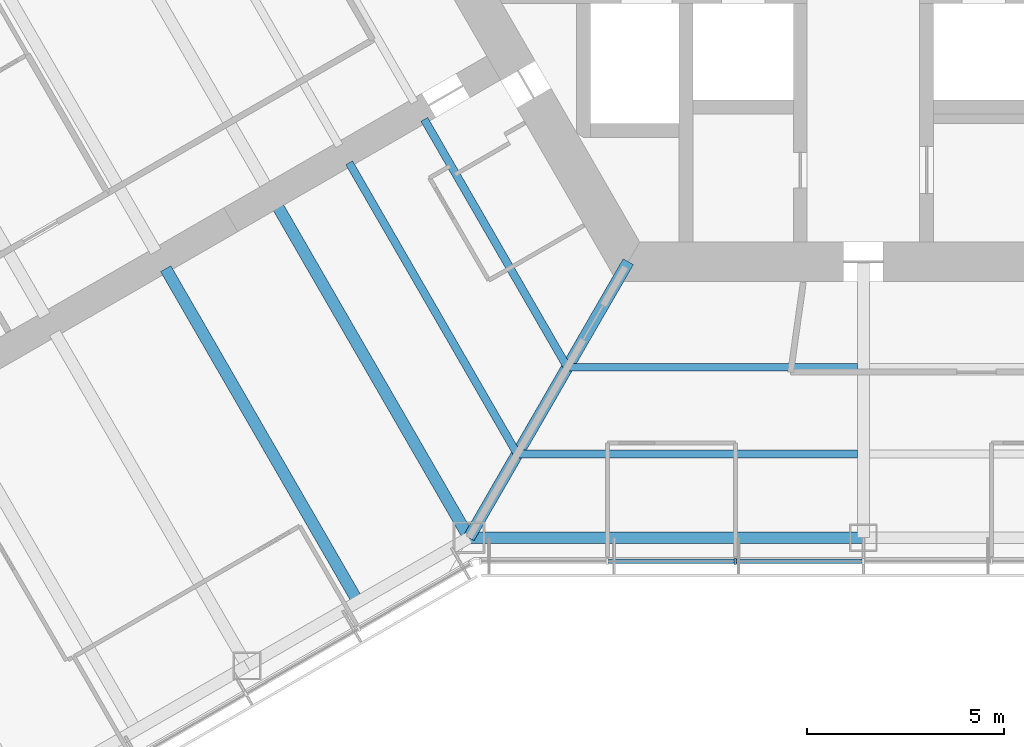
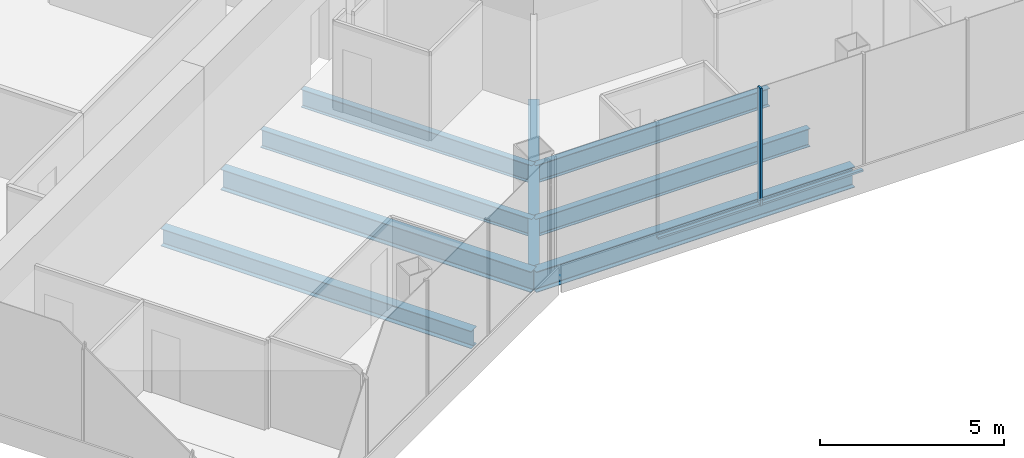
# One storey, part 3 of 18: 8 beams, 3 members, 1 element without a shape of its own.
"""IFC4 building model written with IfcOpenShell, lengths in metres."""

from ifc_helpers import new_model, si_unit, direction, frame, origin, origin_2d, place, context, subcontext, project, spatial, rectangle, i_section, extrude, material, material_profile, profile_set, type_object, element, aggregate, save


model = new_model("IFC4")

# Units and contexts
model_context = context("Model", 3, precision=1e-05, world=origin(), true_north=direction((0.0, 1.0)))
body_context = subcontext(model_context, "Body", "Model", "MODEL_VIEW")
ifc_project = project(units=[si_unit("LENGTHUNIT", "METRE"), si_unit("AREAUNIT", "SQUARE_METRE"), si_unit("VOLUMEUNIT", "CUBIC_METRE"), si_unit("PLANEANGLEUNIT", "RADIAN"), si_unit("MASSUNIT", "GRAM", prefix="KILO")], contexts=[model_context])

# Site, building, storey
site_placement = place(None, origin())
site = spatial("IfcSite", under=ifc_project, at=site_placement, CompositionType="ELEMENT")
building_placement = place(site_placement, origin())
building = spatial("IfcBuilding", under=site, at=building_placement, Name="Kasaneha Research Tower", CompositionType="ELEMENT")
storey_placement = place(building_placement, frame((0.0, 0.0, 179.89990234375)))
storey = spatial("IfcBuildingStorey", under=building, at=storey_placement, Name="L45", CompositionType="ELEMENT", Elevation=179.89990234375)

# Beams
ifc_material_1 = material(Name="Steel SN490B", Category="steel")
ifc_material_profile_1 = material_profile(ifc_material_1, i_section(OverallWidth=0.199951171875, OverallDepth=0.60009765625, WebThickness=0.010986328125, FlangeThickness=0.01708984375, FilletRadius=0.012939453125, at=origin_2d()), Name="H-600x200x11x17")
ifc_profile_set_1 = profile_set([ifc_material_profile_1], Name="Steel SN490B")
beam_type_1 = type_object("IfcBeamType", Name="B1-3 secondary beam H-600x200x11x17", PredefinedType="JOIST", material=ifc_profile_set_1)
beam_1_placement = place(storey_placement, frame((-7.505615234375, -13.0, -0.449951171875), z_axis=(-0.499993340521, 0.866029248602, 0.0), x_axis=(-0.866029248602, -0.499993340521, 0.0)))
element("IfcBeam", 1, at=beam_1_placement, inside=storey, type_object=beam_type_1, Name="Secondary beam RS210R1 L45", PredefinedType="JOIST", context=body_context, shape_type="SweptSolid", body=[
    extrude(i_section(OverallWidth=0.199951171875, OverallDepth=0.60009765625, WebThickness=0.010986328125, FlangeThickness=0.01708984375, FilletRadius=0.012939453125, at=origin_2d()), origin(), (0.0, 0.0, 1.0), 7.25537109375),
])
beam_2_placement = place(storey_placement, frame((-8.775634765625, -15.199951171875, -0.449951171875), z_axis=(-0.500004205306, 0.866022975836, 0.0), x_axis=(-0.866022975836, -0.500004205306, 0.0)))
element("IfcBeam", 2, at=beam_2_placement, inside=storey, type_object=beam_type_1, Name="Secondary beam RS210R2 L45", PredefinedType="JOIST", context=body_context, shape_type="SweptSolid", body=[
    extrude(i_section(OverallWidth=0.199951171875, OverallDepth=0.60009765625, WebThickness=0.010986328125, FlangeThickness=0.01708984375, FilletRadius=0.012939453125, at=origin_2d()), origin(), (0.0, 0.0, 1.0), 8.52587890625),
])
beam_3_placement = place(storey_placement, frame((-7.505615234375, -13.0, -0.449951171875), z_axis=(1.0, 0.0, 0.0), x_axis=(0.0, 1.0, 0.0)))
element("IfcBeam", 3, at=beam_3_placement, inside=storey, type_object=beam_type_1, Name="Secondary beam RS270L1 L45", PredefinedType="JOIST", context=body_context, shape_type="SweptSolid", body=[
    extrude(i_section(OverallWidth=0.199951171875, OverallDepth=0.60009765625, WebThickness=0.010986328125, FlangeThickness=0.01708984375, FilletRadius=0.012939453125, at=origin_2d()), origin(), (0.0, 0.0, 1.0), 7.355712890625),
])
beam_4_placement = place(storey_placement, frame((-8.775634765625, -15.199951171875, -0.449951171875), z_axis=(1.0, 0.0, 0.0), x_axis=(0.0, 1.0, 0.0)))
element("IfcBeam", 4, at=beam_4_placement, inside=storey, type_object=beam_type_1, Name="Secondary beam RS270L2 L45", PredefinedType="JOIST", context=body_context, shape_type="SweptSolid", body=[
    extrude(i_section(OverallWidth=0.199951171875, OverallDepth=0.60009765625, WebThickness=0.010986328125, FlangeThickness=0.01708984375, FilletRadius=0.012939453125, at=origin_2d()), origin(), (0.0, 0.0, 1.0), 8.625732421875),
])
ifc_material_2 = material(Name="Steel SN490B", Category="steel")
ifc_material_profile_2 = material_profile(ifc_material_2, i_section(OverallWidth=0.300048828125, OverallDepth=0.58203125, WebThickness=0.011962890625, FlangeThickness=0.01708984375, FilletRadius=0.012939453125, at=origin_2d()), Name="H-582x300x12x17")
ifc_profile_set_2 = profile_set([ifc_material_profile_2], Name="Steel SN490B")
beam_type_2 = type_object("IfcBeamType", Name="B2-3 secondary beam H-582x300x12x17", PredefinedType="JOIST", material=ifc_profile_set_2)
beam_5_placement = place(storey_placement, frame((-12.814697265625, -18.945556640625, -0.44091796875), z_axis=(-0.499995560238, 0.866027967067, 0.0), x_axis=(-0.866027967067, -0.499995560238, 0.0)))
element("IfcBeam", 5, at=beam_5_placement, inside=storey, type_object=beam_type_2, Name="Secondary beam WBBN1 L45", PredefinedType="JOIST", context=body_context, shape_type="SweptSolid", body=[
    extrude(i_section(OverallWidth=0.300048828125, OverallDepth=0.58203125, WebThickness=0.011962890625, FlangeThickness=0.01708984375, FilletRadius=0.012939453125, at=origin_2d()), origin(), (0.0, 0.0, 1.0), 9.75),
])

# Curtain wall, members
ifc_material_3 = material(Name="Glass and aluminium", Category="aluminium")
curtain_wall_type = type_object("IfcCurtainWallType", Name="Mid-rise office curtain wall", PredefinedType="USERDEFINED", material=ifc_material_3)
curtain_wall_placement = place(storey_placement, origin())
curtain_wall = element("IfcCurtainWall", 6, at=curtain_wall_placement, inside=storey, type_object=curtain_wall_type, Name="CW-O2 L45 run 01a", ObjectType="UNITISED CURTAIN WALL", PredefinedType="USERDEFINED")
ifc_material_4 = material(Name="Aluminium 6063-T6", Category="aluminium")
ifc_material_profile_3 = material_profile(ifc_material_4, rectangle(XDim=0.06005859375, YDim=0.14990234375, at=origin_2d()), Name="CW-O2 mullion 60x150")
ifc_profile_set_3 = profile_set([ifc_material_profile_3], Name="Aluminium 6063-T6")
member_type_1 = type_object("IfcMemberType", Name="CW-O2 mullion", PredefinedType="MULLION", material=ifc_profile_set_3)
member_1_placement = place(storey_placement, frame((-3.246337890625, -17.92041015625, 0.0), z_axis=(0.0, 0.0, 1.0), x_axis=(1.0, 0.0, 0.0)))
member_1 = element("IfcMember", 7, at=member_1_placement, type_object=member_type_1, Name="CW-O2 mullion 3", PredefinedType="MULLION", context=body_context, shape_type="SweptSolid", body=[
    extrude(rectangle(XDim=0.06005859375, YDim=0.14990234375, at=origin_2d()), origin(), (0.0, 0.0, 1.0), 3.900146484375),
])
ifc_material_5 = material(Name="Aluminium 6063-T6", Category="aluminium")
ifc_material_profile_4 = material_profile(ifc_material_5, rectangle(XDim=0.110107421875, YDim=0.06005859375, at=origin_2d()), Name="CW-O2 transom 110x60")
ifc_profile_set_4 = profile_set([ifc_material_profile_4], Name="Aluminium 6063-T6")
member_type_2 = type_object("IfcMemberType", Name="CW-O2 transom", PredefinedType="USERDEFINED", material=ifc_profile_set_4)
member_2_placement = place(storey_placement, frame((-6.462890625, -17.92041015625, 0.030029296875), z_axis=(1.0, 0.0, 0.0), x_axis=(0.0, 1.0, 0.0)))
member_2 = element("IfcMember", 8, at=member_2_placement, type_object=member_type_2, Name="CW-O2 transom 2", ObjectType="TRANSOM", PredefinedType="USERDEFINED", context=body_context, shape_type="SweptSolid", body=[
    extrude(rectangle(XDim=0.110107421875, YDim=0.06005859375, at=origin_2d()), origin(), (0.0, 0.0, 1.0), 3.1865234375),
])
member_3_placement = place(storey_placement, frame((-3.21630859375, -17.92041015625, 0.030029296875), z_axis=(1.0, 0.0, 0.0), x_axis=(0.0, 1.0, 0.0)))
member_3 = element("IfcMember", 9, at=member_3_placement, type_object=member_type_2, Name="CW-O2 transom 3", ObjectType="TRANSOM", PredefinedType="USERDEFINED", context=body_context, shape_type="SweptSolid", body=[
    extrude(rectangle(XDim=0.110107421875, YDim=0.06005859375, at=origin_2d()), origin(), (0.0, 0.0, 1.0), 3.186279296875),
])
aggregate(curtain_wall, [member_1, member_2, member_3])

# Beams
ifc_material_6 = material(Name="Steel SN490B", Category="steel")
ifc_material_profile_5 = material_profile(ifc_material_6, i_section(OverallWidth=0.300048828125, OverallDepth=0.699951171875, WebThickness=0.012939453125, FlangeThickness=0.02392578125, FilletRadius=0.01806640625, at=origin_2d()), Name="H-700x300x13x24")
ifc_profile_set_5 = profile_set([ifc_material_profile_5], Name="Steel SN490B")
beam_type_3 = type_object("IfcBeamType", Name="G1-3 radial girder H-700x300x13x24", PredefinedType="BEAM", material=ifc_profile_set_5)
beam_6_placement = place(storey_placement, frame((-5.961181640625, -10.324951171875, -0.5), z_axis=(-0.49999105496, -0.866030568144, 0.0), x_axis=(0.866030568144, -0.49999105496, 0.0)))
element("IfcBeam", 10, at=beam_6_placement, inside=storey, type_object=beam_type_3, Name="Radial girder RV240 L45", PredefinedType="BEAM", context=body_context, shape_type="SweptSolid", body=[
    extrude(i_section(OverallWidth=0.300048828125, OverallDepth=0.699951171875, WebThickness=0.012939453125, FlangeThickness=0.02392578125, FilletRadius=0.01806640625, at=origin_2d()), origin(), (0.0, 0.0, 1.0), 8.077880859375),
])
ifc_material_7 = material(Name="Steel SN490B", Category="steel")
ifc_material_profile_6 = material_profile(ifc_material_7, i_section(OverallWidth=0.300048828125, OverallDepth=0.69189453125, WebThickness=0.012939453125, FlangeThickness=0.02001953125, FilletRadius=0.01806640625, at=origin_2d()), Name="H-692x300x13x20")
ifc_profile_set_6 = profile_set([ifc_material_profile_6], Name="Steel SN490B")
beam_type_4 = type_object("IfcBeamType", Name="G3-3 plate edge girder H-692x300x13x20", PredefinedType="BEAM", material=ifc_profile_set_6)
beam_7_placement = place(storey_placement, frame((-10.0, -17.320556640625, -0.495849609375), z_axis=(-0.499995560238, 0.866027967067, 0.0), x_axis=(-0.866027967067, -0.499995560238, 0.0)))
element("IfcBeam", 11, at=beam_7_placement, inside=storey, type_object=beam_type_4, Name="Plate edge girder PEBN L45", PredefinedType="BEAM", context=body_context, shape_type="SweptSolid", body=[
    extrude(i_section(OverallWidth=0.300048828125, OverallDepth=0.69189453125, WebThickness=0.012939453125, FlangeThickness=0.02001953125, FilletRadius=0.01806640625, at=origin_2d()), origin(), (0.0, 0.0, 1.0), 9.75),
])
ifc_material_8 = material(Name="Steel SN490B", Category="steel")
ifc_material_profile_7 = material_profile(ifc_material_8, i_section(OverallWidth=0.300048828125, OverallDepth=0.69189453125, WebThickness=0.012939453125, FlangeThickness=0.02001953125, FilletRadius=0.01806640625, at=origin_2d()), Name="H-692x300x13x20")
ifc_profile_set_7 = profile_set([ifc_material_profile_7], Name="Steel SN490B")
beam_type_5 = type_object("IfcBeamType", Name="SB1-3 spandrel beam H-692x300x13x20", PredefinedType="SPANDREL", material=ifc_profile_set_7)
beam_8_placement = place(storey_placement, frame((-10.0, -17.320556640625, -0.495849609375), z_axis=(1.0, 0.0, 0.0), x_axis=(0.0, 1.0, 0.0)))
element("IfcBeam", 12, at=beam_8_placement, inside=storey, type_object=beam_type_5, Name="Spandrel beam SR270L L45", PredefinedType="SPANDREL", context=body_context, shape_type="SweptSolid", body=[
    extrude(i_section(OverallWidth=0.300048828125, OverallDepth=0.69189453125, WebThickness=0.012939453125, FlangeThickness=0.02001953125, FilletRadius=0.01806640625, at=origin_2d()), origin(), (0.0, 0.0, 1.0), 10.0),
])

save(model, "model.ifc")
